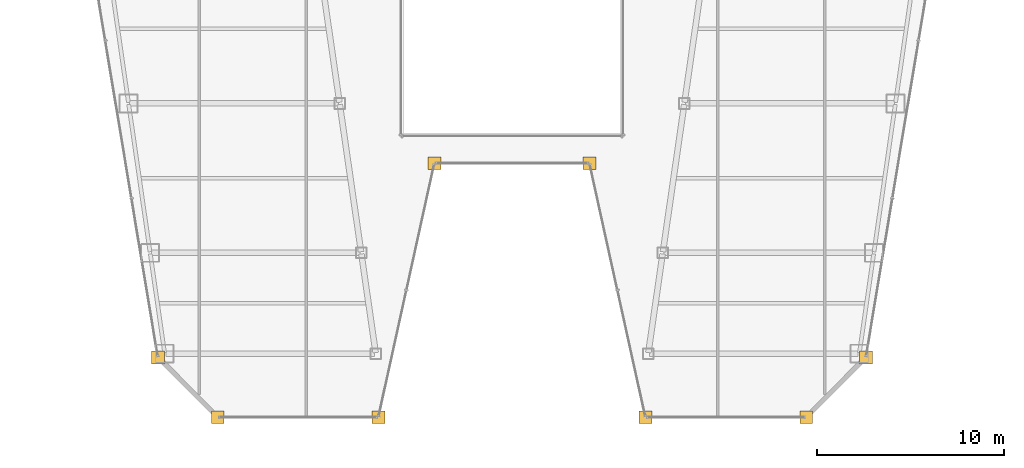
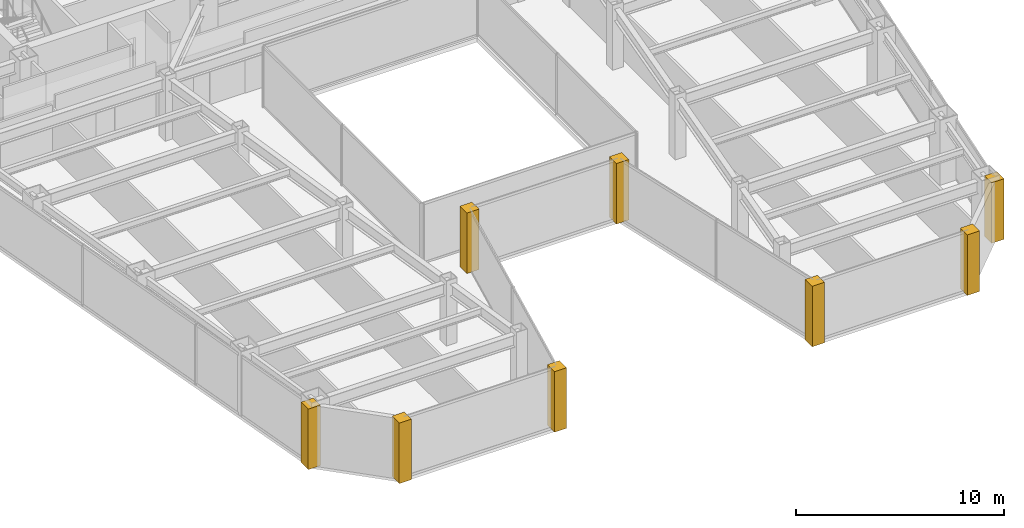
# One storey, part 37 of 40: 8 coverings.
"""IFC4 building model written with IfcOpenShell, lengths in metres."""

from ifc_helpers import new_model, si_unit, direction, frame, origin, place, context, subcontext, project, spatial, polyline, outline, extrude, material, layer, layer_set, type_object, element, save


model = new_model("IFC4")

# Units and contexts
model_context = context("Model", 3, precision=1e-05, world=origin(), true_north=direction((0.0, 1.0)))
body_context = subcontext(model_context, "Body", "Model", "MODEL_VIEW")
ifc_project = project(units=[si_unit("LENGTHUNIT", "METRE"), si_unit("AREAUNIT", "SQUARE_METRE"), si_unit("VOLUMEUNIT", "CUBIC_METRE"), si_unit("PLANEANGLEUNIT", "RADIAN"), si_unit("MASSUNIT", "GRAM", prefix="KILO")], contexts=[model_context])

# Site, building, storey
site_placement = place(None, origin())
site = spatial("IfcSite", under=ifc_project, at=site_placement, CompositionType="ELEMENT")
building_placement = place(site_placement, origin())
building = spatial("IfcBuilding", under=site, at=building_placement, Name="Saevonmaru Cultural Tower", CompositionType="ELEMENT")
storey_placement = place(building_placement, frame((0.0, 0.0, 129.60009765625)))
storey = spatial("IfcBuildingStorey", under=building, at=storey_placement, Name="L27", CompositionType="ELEMENT", Elevation=129.60009765625)

# Coverings
ifc_material = material(Name="Satin Bronze Anodised Aluminium", Category="aluminium")
ifc_layer = layer(ifc_material, 0.679931640625, Name="Satin Bronze Anodised Aluminium")
ifc_layer_set = layer_set([ifc_layer], Name="Satin Bronze Anodised Aluminium")
covering_type = type_object("IfcCoveringType", Name="CV-CORNER-CLAD", PredefinedType="CLADDING", material=ifc_layer_set)
covering_1_placement = place(storey_placement, origin())
element("IfcCovering", 1, at=covering_1_placement, inside=storey, type_object=covering_type, Name="L27 Tower Bronze Corner Cladding Pier 1", PredefinedType="CLADDING", context=body_context, shape_type="SweptSolid", body=[
    extrude(outline(polyline([(10.708984375, 10.06005859375), (11.388916015625, 10.06005859375), (11.388916015625, 10.739990234375), (10.708984375, 10.739990234375), (10.708984375, 10.06005859375)])), origin(), (0.0, 0.0, 1.0), 3.5498046875),
])
covering_2_placement = place(storey_placement, origin())
element("IfcCovering", 2, at=covering_2_placement, inside=storey, type_object=covering_type, Name="L27 Tower Bronze Corner Cladding Pier 2", PredefinedType="CLADDING", context=body_context, shape_type="SweptSolid", body=[
    extrude(outline(polyline([(13.908935546875, 6.860107421875), (14.589111328125, 6.860107421875), (14.589111328125, 7.5400390625), (13.908935546875, 7.5400390625), (13.908935546875, 6.860107421875)])), origin(), (0.0, 0.0, 1.0), 3.5498046875),
])
covering_3_placement = place(storey_placement, origin())
element("IfcCovering", 3, at=covering_3_placement, inside=storey, type_object=covering_type, Name="L27 Tower Bronze Corner Cladding Pier 3", PredefinedType="CLADDING", context=body_context, shape_type="SweptSolid", body=[
    extrude(outline(polyline([(22.509033203125, 6.860107421875), (23.18896484375, 6.860107421875), (23.18896484375, 7.5400390625), (22.509033203125, 7.5400390625), (22.509033203125, 6.860107421875)])), origin(), (0.0, 0.0, 1.0), 3.5498046875),
])
covering_4_placement = place(storey_placement, origin())
element("IfcCovering", 4, at=covering_4_placement, inside=storey, type_object=covering_type, Name="L27 Tower Bronze Corner Cladding Pier 4", PredefinedType="CLADDING", context=body_context, shape_type="SweptSolid", body=[
    extrude(outline(polyline([(25.509033203125, 20.4599609375), (26.18896484375, 20.4599609375), (26.18896484375, 21.139892578125), (25.509033203125, 21.139892578125), (25.509033203125, 20.4599609375)])), origin(), (0.0, 0.0, 1.0), 3.5498046875),
])
covering_5_placement = place(storey_placement, origin())
element("IfcCovering", 5, at=covering_5_placement, inside=storey, type_object=covering_type, Name="L27 Tower Bronze Corner Cladding Pier 5", PredefinedType="CLADDING", context=body_context, shape_type="SweptSolid", body=[
    extrude(outline(polyline([(33.81103515625, 20.4599609375), (34.490966796875, 20.4599609375), (34.490966796875, 21.139892578125), (33.81103515625, 21.139892578125), (33.81103515625, 20.4599609375)])), origin(), (0.0, 0.0, 1.0), 3.5498046875),
])
covering_6_placement = place(storey_placement, origin())
element("IfcCovering", 6, at=covering_6_placement, inside=storey, type_object=covering_type, Name="L27 Tower Bronze Corner Cladding Pier 6", PredefinedType="CLADDING", context=body_context, shape_type="SweptSolid", body=[
    extrude(outline(polyline([(36.81103515625, 6.860107421875), (37.490966796875, 6.860107421875), (37.490966796875, 7.5400390625), (36.81103515625, 7.5400390625), (36.81103515625, 6.860107421875)])), origin(), (0.0, 0.0, 1.0), 3.5498046875),
])
covering_7_placement = place(storey_placement, origin())
element("IfcCovering", 7, at=covering_7_placement, inside=storey, type_object=covering_type, Name="L27 Tower Bronze Corner Cladding Pier 7", PredefinedType="CLADDING", context=body_context, shape_type="SweptSolid", body=[
    extrude(outline(polyline([(45.410888671875, 6.860107421875), (46.091064453125, 6.860107421875), (46.091064453125, 7.5400390625), (45.410888671875, 7.5400390625), (45.410888671875, 6.860107421875)])), origin(), (0.0, 0.0, 1.0), 3.5498046875),
])
covering_8_placement = place(storey_placement, origin())
element("IfcCovering", 8, at=covering_8_placement, inside=storey, type_object=covering_type, Name="L27 Tower Bronze Corner Cladding Pier 8", PredefinedType="CLADDING", context=body_context, shape_type="SweptSolid", body=[
    extrude(outline(polyline([(48.611083984375, 10.06005859375), (49.291015625, 10.06005859375), (49.291015625, 10.739990234375), (48.611083984375, 10.739990234375), (48.611083984375, 10.06005859375)])), origin(), (0.0, 0.0, 1.0), 3.5498046875),
])

save(model, "model.ifc")
